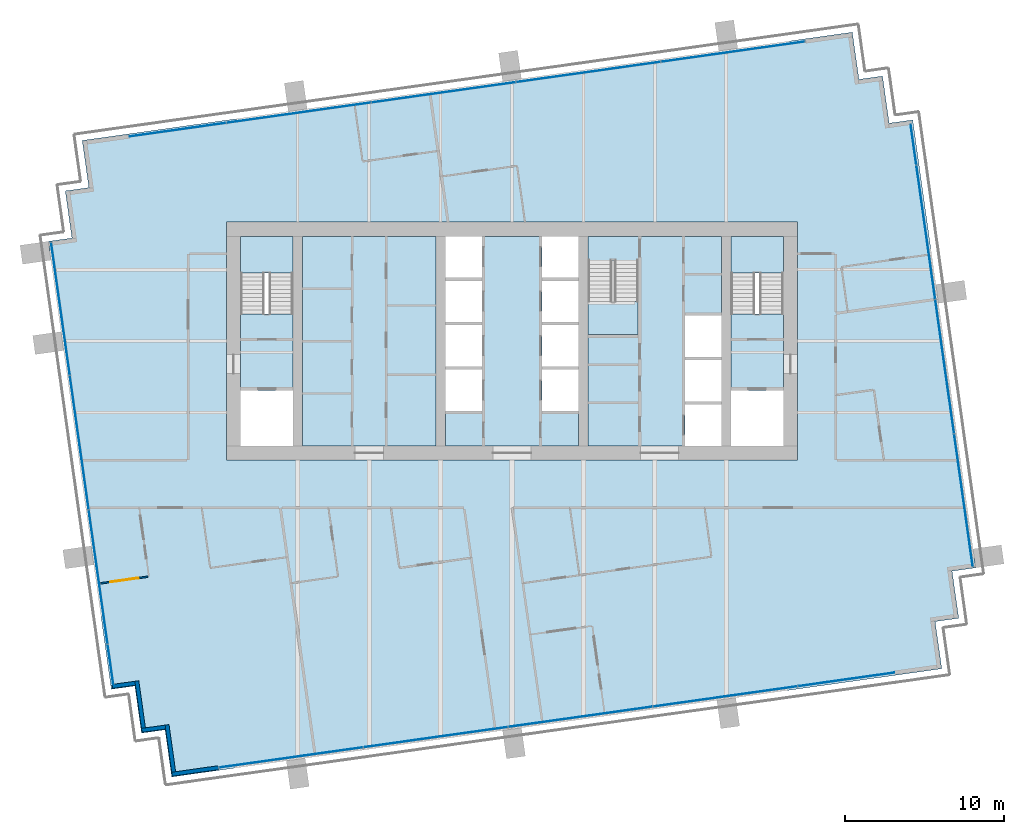
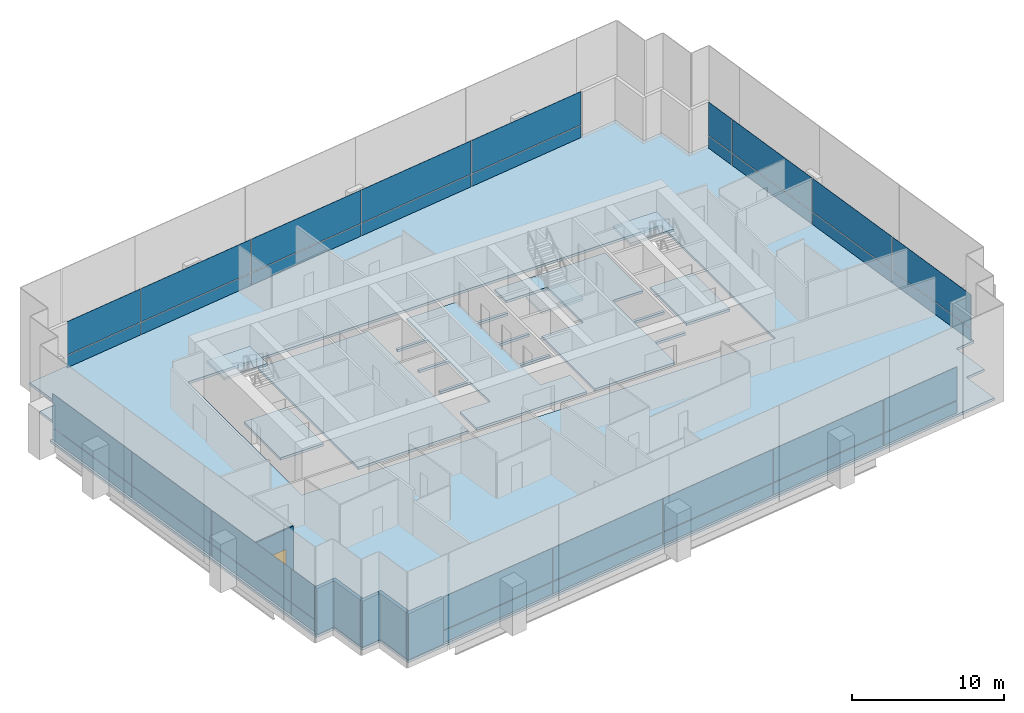
# One storey, part 8 of 17: 36 plates, 9 slabs, 6 walls, 1 window, 1 opening, 7 elements without a shape of their own.
"""IFC4 building model written with IfcOpenShell, lengths in metres."""

import ifcopenshell
import ifcopenshell.guid

model = None  # the IFC model being written
_history = None  # IfcOwnerHistory: only IFC2X3 demands one
_inside = {}  # id of a spatial element -> (the spatial element, [elements in it])
_under = {}  # id of a project, library or spatial element -> (it, [spatial elements below it])
_declared = {}  # id of a project -> (the project, [libraries it declares])
_typed = {}  # id of a type object -> (the type object, [elements of that type])
_made_of = {}  # id of a material, layer set ... -> (it, [elements and type objects made of it])


def new_model(schema):
    """Start an empty IFC model of exactly this schema.

    Asked for "IFC4X3", IfcOpenShell would pick the latest addendum, in which some entities
    have other attributes; the version numbers below select the first issue.
    IFC2X3 requires an IfcOwnerHistory on every rooted entity: one is made here for all.
    """
    global model, _history
    if schema == "IFC4X3":
        model = ifcopenshell.file(schema_version=(4, 3, 0, 0))
    else:
        model = ifcopenshell.file(schema=schema)
    _inside.clear()
    _under.clear()
    _declared.clear()
    _typed.clear()
    _made_of.clear()
    _history = None
    if model.schema == "IFC2X3":
        org = make("IfcOrganization", Name="unknown")
        user = make(
            "IfcPersonAndOrganization",
            ThePerson=make("IfcPerson", FamilyName="unknown"),
            TheOrganization=org,
        )
        app = make(
            "IfcApplication",
            ApplicationDeveloper=org,
            Version="unknown",
            ApplicationFullName="unknown",
            ApplicationIdentifier="unknown",
        )
        _history = make(
            "IfcOwnerHistory",
            OwningUser=user,
            OwningApplication=app,
            ChangeAction="ADDED",
            CreationDate=0,
        )
    return model


def make(cls, **values):
    """One entity of the class cls with the attributes given. An attribute that is None is left unset."""
    return model.create_entity(
        cls, **{name: value for name, value in values.items() if value is not None}
    )


def rooted(cls, **values):
    """An entity with a GlobalId (a new one), such as an element, a storey or a relation."""
    return make(cls, GlobalId=ifcopenshell.guid.new(), OwnerHistory=_history, **values)


def si_unit(unit_type, name, prefix=None):
    """IfcSIUnit, for example si_unit("LENGTHUNIT", "METRE", prefix="MILLI")."""
    return make("IfcSIUnit", UnitType=unit_type, Prefix=prefix, Name=name)


def assignment(units):
    """IfcUnitAssignment: the units of a project."""
    return None if units is None else make("IfcUnitAssignment", Units=units)


def point(xyz):
    """IfcCartesianPoint."""
    return None if xyz is None else make("IfcCartesianPoint", Coordinates=xyz)


def direction(xyz):
    """IfcDirection."""
    return None if xyz is None else make("IfcDirection", DirectionRatios=xyz)


def frame(location, z_axis=None, x_axis=None):
    """IfcAxis2Placement3D, a coordinate frame: its origin and axes. An axis left out is left unset."""
    return make(
        "IfcAxis2Placement3D",
        Location=point(location),
        Axis=direction(z_axis),
        RefDirection=direction(x_axis),
    )


def frame_2d(location, x_axis=None):
    """IfcAxis2Placement2D, a coordinate frame in the plane: its origin and x axis."""
    return make(
        "IfcAxis2Placement2D", Location=point(location), RefDirection=direction(x_axis)
    )


def origin():
    """The frame at (0, 0, 0) with its axes left unset."""
    return frame((0.0, 0.0, 0.0))


def origin_2d():
    """The frame at (0, 0) in the plane with its x axis left unset."""
    return frame_2d((0.0, 0.0))


def place(relative_to, where):
    """IfcLocalPlacement: puts the frame where relative to a parent placement (None: the world)."""
    return make(
        "IfcLocalPlacement", PlacementRelTo=relative_to, RelativePlacement=where
    )


def context(
    kind, dimensions, precision=None, world=None, true_north=None, identifier=None
):
    """IfcGeometricRepresentationContext, for example the 3D "Model" context."""
    return make(
        "IfcGeometricRepresentationContext",
        ContextIdentifier=identifier,
        ContextType=kind,
        CoordinateSpaceDimension=dimensions,
        Precision=precision,
        WorldCoordinateSystem=world,
        TrueNorth=true_north,
    )


def subcontext(parent, identifier, kind, view, scale=None):
    """IfcGeometricRepresentationSubContext, for example "Body" below "Model"."""
    return make(
        "IfcGeometricRepresentationSubContext",
        ContextIdentifier=identifier,
        ContextType=kind,
        ParentContext=parent,
        TargetScale=scale,
        TargetView=view,
    )


def project(units=None, contexts=None):
    """IfcProject with its units and contexts."""
    return rooted(
        "IfcProject",
        Name="project",
        RepresentationContexts=contexts,
        UnitsInContext=assignment(units),
    )


def spatial(cls, under=None, at=None, **own):
    """A site, building, storey or space (cls), placed at a placement, below another one or the project."""
    s = rooted(cls, ObjectPlacement=at, **own)
    if under is not None:
        _under.setdefault(under.id(), (under, []))[1].append(s)
    return s


def polyline(points):
    """IfcPolyline through the points."""
    return make("IfcPolyline", Points=[point(p) for p in points])


def profile(cls, at=None, kind="AREA", **sizes):
    """A parametric profile (cls). Its sizes go by their IFC names, for example OverallWidth=200.0."""
    return make(cls, ProfileType=kind, Position=at, **sizes)


def rectangle(**sizes):
    """IfcRectangleProfileDef."""
    return profile("IfcRectangleProfileDef", **sizes)


def outline(outer, holes=None, kind="AREA"):
    """IfcArbitraryClosedProfileDef: a profile drawn as a closed curve; with holes, ...WithVoids."""
    if holes is None:
        return make("IfcArbitraryClosedProfileDef", ProfileType=kind, OuterCurve=outer)
    return make(
        "IfcArbitraryProfileDefWithVoids",
        ProfileType=kind,
        OuterCurve=outer,
        InnerCurves=holes,
    )


def extrude(swept, where, along, depth):
    """IfcExtrudedAreaSolid: the profile swept, set in the frame where, extruded along a direction by depth."""
    return make(
        "IfcExtrudedAreaSolid",
        SweptArea=swept,
        Position=where,
        ExtrudedDirection=direction(along),
        Depth=depth,
    )


def shape(context_of_items, identifier, shape_type, items):
    """IfcShapeRepresentation: the items that make up one representation, for example the "Body"."""
    return make(
        "IfcShapeRepresentation",
        ContextOfItems=context_of_items,
        RepresentationIdentifier=identifier,
        RepresentationType=shape_type,
        Items=items,
    )


def material(Name=None, Category=None):
    """IfcMaterial."""
    return make("IfcMaterial", Name=Name, Category=Category)


def layer(
    of_material, thickness, ventilated=None, Name=None, Category=None, Priority=None
):
    """IfcMaterialLayer: one layer of a wall or slab, of a material (None: an air gap)."""
    return make(
        "IfcMaterialLayer",
        Material=of_material,
        LayerThickness=thickness,
        IsVentilated=ventilated,
        Name=Name,
        Category=Category,
        Priority=Priority,
    )


def layer_set(layers, Name=None):
    """IfcMaterialLayerSet."""
    return make("IfcMaterialLayerSet", MaterialLayers=layers, LayerSetName=Name)


def made_of(thing, what):
    """Note that an element or type object is made of a material, layer set ...; save() writes the relation."""
    if what is not None:
        _made_of.setdefault(what.id(), (what, []))[1].append(thing)
    return thing


def type_object(cls, material=None, **own):
    """A type object (cls), such as IfcWallType, which elements share."""
    return made_of(rooted(cls, **own), material)


def element(
    cls,
    number,
    at=None,
    inside=None,
    cuts=None,
    type_object=None,
    material=None,
    context=None,
    identifier="Body",
    shape_type=None,
    held_by="IfcProductDefinitionShape",
    body=None,
    shapes=None,
    **own,
):
    """One element of the class cls, such as IfcWall. Its Tag is "e" and its number.

    at: its placement. inside: the storey or other place that contains it. cuts: it is an
    opening in that element (IfcRelVoidsElement). A single representation is given by context,
    identifier, shape_type and body (its items); several are given by shapes. held_by: the class
    of the entity that holds the representations. save() writes the other relations.
    """
    e = rooted(cls, Tag="e%d" % number, ObjectPlacement=at, **own)
    if body is not None:
        shapes = [shape(context, identifier, shape_type, body)]
    if shapes is not None:
        e.Representation = make(held_by, Representations=shapes)
    if inside is not None:
        _inside.setdefault(inside.id(), (inside, []))[1].append(e)
    if cuts is not None:
        rooted(
            "IfcRelVoidsElement", RelatingBuildingElement=cuts, RelatedOpeningElement=e
        )
    if type_object is not None:
        _typed.setdefault(type_object.id(), (type_object, []))[1].append(e)
    return made_of(e, material)


def fill(opening, filler):
    """IfcRelFillsElement: the door or window that sits in an opening."""
    return rooted(
        "IfcRelFillsElement",
        RelatingOpeningElement=opening,
        RelatedBuildingElement=filler,
    )


def aggregate(whole, parts):
    """IfcRelAggregates: a whole, such as a stair, and the parts it consists of."""
    return rooted("IfcRelAggregates", RelatingObject=whole, RelatedObjects=parts)


def save(model, path):
    """Write the relations noted so far, then the file.

    IfcRelAggregates (storeys below a building ...), IfcRelContainedInSpatialStructure (elements
    in a storey), IfcRelDefinesByType, IfcRelAssociatesMaterial and IfcRelDeclares: one each for
    every whole, place, type object, material and project.
    """
    for whole, parts in _under.values():
        aggregate(whole, parts)
    for where, things in _inside.values():
        rooted(
            "IfcRelContainedInSpatialStructure",
            RelatedElements=things,
            RelatingStructure=where,
        )
    for kind, things in _typed.values():
        rooted("IfcRelDefinesByType", RelatedObjects=things, RelatingType=kind)
    for what, things in _made_of.values():
        rooted("IfcRelAssociatesMaterial", RelatedObjects=things, RelatingMaterial=what)
    for by, libraries in _declared.values():
        rooted("IfcRelDeclares", RelatingContext=by, RelatedDefinitions=libraries)
    model.write(path)


model = new_model("IFC4")

# Units and contexts
model_context = context("Model", 3, precision=1e-05, world=origin(), true_north=direction((0.0, 1.0)))
body_context = subcontext(model_context, "Body", "Model", "MODEL_VIEW")
ifc_project = project(units=[si_unit("LENGTHUNIT", "METRE"), si_unit("AREAUNIT", "SQUARE_METRE"), si_unit("VOLUMEUNIT", "CUBIC_METRE"), si_unit("PLANEANGLEUNIT", "RADIAN"), si_unit("MASSUNIT", "GRAM", prefix="KILO")], contexts=[model_context])

# Site, building, storey
site_placement = place(None, origin())
site = spatial("IfcSite", under=ifc_project, at=site_placement, CompositionType="ELEMENT")
building_placement = place(site_placement, origin())
building = spatial("IfcBuilding", under=site, at=building_placement, Name="Rattan Terrace Tower", CompositionType="ELEMENT")
storey_placement = place(building_placement, frame((0.0, 0.0, 168.5)))
storey = spatial("IfcBuildingStorey", under=building, at=storey_placement, Name="L38", CompositionType="ELEMENT", Elevation=168.5)

# Stair, slab
ifc_material_1 = material(Name="Concrete C40/50", Category="concrete")
stair_type = type_object("IfcStairType", Name="Core exit stair 1500", PredefinedType="HALF_TURN_STAIR", material=ifc_material_1)
stair_1_placement = place(storey_placement, origin())
stair_1 = element("IfcStair", 1, at=stair_1_placement, inside=storey, type_object=stair_type, Name="L38 exit stair 1", PredefinedType="HALF_TURN_STAIR")
ifc_material_2 = material(Name="Concrete C40/50", Category="concrete")
ifc_layer_1 = layer(ifc_material_2, 0.199951171875)
ifc_layer_set_1 = layer_set([ifc_layer_1], Name="Core exit stair landing")
slab_type_1 = type_object("IfcSlabType", Name="Core exit stair landing", PredefinedType="LANDING", material=ifc_layer_set_1)
slab_1_placement = place(storey_placement, frame((0.0, 0.0, 1.75)))
slab_1 = element("IfcSlab", 2, at=slab_1_placement, type_object=slab_type_1, Name="S1 landing 1", PredefinedType="LANDING", context=body_context, shape_type="SweptSolid", body=[
    extrude(outline(polyline([(-13.800048828125, 4.300048828125), (-13.800048828125, 6.60009765625), (-17.10009765625, 6.60009765625), (-17.10009765625, 4.300048828125), (-13.800048828125, 4.300048828125)])), origin(), (0.0, 0.0, 1.0), 0.199951171875),
])
aggregate(stair_1, [slab_1])

stair_2_placement = place(storey_placement, origin())
stair_2 = element("IfcStair", 3, at=stair_2_placement, inside=storey, type_object=stair_type, Name="L38 exit stair 2", PredefinedType="HALF_TURN_STAIR")
slab_2_placement = place(storey_placement, frame((0.0, 0.0, 1.75)))
slab_2 = element("IfcSlab", 4, at=slab_2_placement, type_object=slab_type_1, Name="S2 landing 1", PredefinedType="LANDING", context=body_context, shape_type="SweptSolid", body=[
    extrude(outline(polyline([(17.10009765625, 4.300048828125), (17.10009765625, 6.60009765625), (13.800048828125, 6.60009765625), (13.800048828125, 4.300048828125), (17.10009765625, 4.300048828125)])), origin(), (0.0, 0.0, 1.0), 0.199951171875),
])
aggregate(stair_2, [slab_2])

stair_3_placement = place(storey_placement, origin())
stair_3 = element("IfcStair", 5, at=stair_3_placement, inside=storey, type_object=stair_type, Name="L38 exit stair 3", PredefinedType="HALF_TURN_STAIR")
slab_3_placement = place(storey_placement, frame((0.0, 0.0, 1.75)))
slab_3 = element("IfcSlab", 6, at=slab_3_placement, type_object=slab_type_1, Name="S3 landing 1", PredefinedType="LANDING", context=body_context, shape_type="SweptSolid", body=[
    extrude(outline(polyline([(4.800048828125, 2.5), (4.800048828125, 0.39990234375), (7.949951171875, 0.39990234375), (7.949951171875, 2.5), (4.800048828125, 2.5)])), origin(), (0.0, 0.0, 1.0), 0.199951171875),
])
aggregate(stair_3, [slab_3])

# Curtain wall, plates
ifc_material_3 = material(Name="Aluminium and glass", Category="aluminium")
curtain_wall_type = type_object("IfcCurtainWallType", Name="Facade Unitised Curtain Wall", PredefinedType="NOTDEFINED", material=ifc_material_3)
curtain_wall_1_placement = place(storey_placement, origin())
curtain_wall_1 = element("IfcCurtainWall", 7, at=curtain_wall_1_placement, inside=storey, type_object=curtain_wall_type, Name="Curtain wall L38-1", PredefinedType="NOTDEFINED")
ifc_material_4 = material(Name="Aluminium insulated spandrel panel", Category="aluminium")
ifc_layer_2 = layer(ifc_material_4, 0.028076171875)
ifc_layer_set_2 = layer_set([ifc_layer_2], Name="Facade CW Spandrel Panel")
plate_type_1 = type_object("IfcPlateType", Name="Facade CW Spandrel Panel", PredefinedType="CURTAIN_PANEL", material=ifc_layer_set_2)
plate_1_placement = place(storey_placement, frame((28.447509765625, -10.037109375, 0.0), z_axis=(0.0, 0.0, 1.0), x_axis=(-0.139190856006, 0.99026557327, 0.0)))
plate_1 = element("IfcPlate", 8, at=plate_1_placement, type_object=plate_type_1, Name="Panel cwl-L38-001.1.1", PredefinedType="CURTAIN_PANEL", context=body_context, shape_type="SweptSolid", body=[
    extrude(rectangle(XDim=8.4150390625, YDim=0.028076171875, at=origin_2d()), origin(), (0.0, 0.0, 1.0), 0.969970703125),
])
plate_2_placement = place(storey_placement, frame((27.262451171875, -1.607421875, 0.0), z_axis=(0.0, 0.0, 1.0), x_axis=(-0.139190856006, 0.99026557327, 0.0)))
plate_2 = element("IfcPlate", 9, at=plate_2_placement, type_object=plate_type_1, Name="Panel cwl-L38-001.2.1", PredefinedType="CURTAIN_PANEL", context=body_context, shape_type="SweptSolid", body=[
    extrude(rectangle(XDim=8.489990234375, YDim=0.028076171875, at=origin_2d()), origin(), (0.0, 0.0, 1.0), 0.969970703125),
])
plate_3_placement = place(storey_placement, frame((26.072509765625, 6.859375, 0.0), z_axis=(0.0, 0.0, 1.0), x_axis=(-0.139190856006, 0.99026557327, 0.0)))
plate_3 = element("IfcPlate", 10, at=plate_3_placement, type_object=plate_type_1, Name="Panel cwl-L38-001.3.1", PredefinedType="CURTAIN_PANEL", context=body_context, shape_type="SweptSolid", body=[
    extrude(rectangle(XDim=8.489990234375, YDim=0.028076171875, at=origin_2d()), origin(), (0.0, 0.0, 1.0), 0.969970703125),
])
plate_4_placement = place(storey_placement, frame((25.29736328125, 12.372802734375, 0.0), z_axis=(0.0, 0.0, 1.0), x_axis=(-0.139190856006, 0.99026557327, 0.0)))
plate_4 = element("IfcPlate", 11, at=plate_4_placement, type_object=plate_type_1, Name="Panel cwl-L38-001.4.1", PredefinedType="CURTAIN_PANEL", context=body_context, shape_type="SweptSolid", body=[
    extrude(rectangle(XDim=2.525390625, YDim=0.028076171875, at=origin_2d()), origin(), (0.0, 0.0, 1.0), 0.969970703125),
])

curtain_wall_2_placement = place(storey_placement, origin())
curtain_wall_2 = element("IfcCurtainWall", 12, at=curtain_wall_2_placement, inside=storey, type_object=curtain_wall_type, Name="Curtain wall L38-2", PredefinedType="NOTDEFINED")
plate_5_placement = place(storey_placement, frame((13.920166015625, 18.233642578125, 0.0), z_axis=(0.0, 0.0, 1.0), x_axis=(-0.990269702686, -0.139161474347, 0.0)))
plate_5 = element("IfcPlate", 13, at=plate_5_placement, type_object=plate_type_1, Name="Panel cwl-L38-002.1.1", PredefinedType="CURTAIN_PANEL", context=body_context, shape_type="SweptSolid", body=[
    extrude(rectangle(XDim=9.123046875, YDim=0.028076171875, at=origin_2d()), origin(), (0.0, 0.0, 1.0), 0.969970703125),
])
plate_6_placement = place(storey_placement, frame((4.8115234375, 16.95361328125, 0.0), z_axis=(0.0, 0.0, 1.0), x_axis=(-0.990269702686, -0.139161474347, 0.0)))
plate_6 = element("IfcPlate", 14, at=plate_6_placement, type_object=plate_type_1, Name="Panel cwl-L38-002.2.1", PredefinedType="CURTAIN_PANEL", context=body_context, shape_type="SweptSolid", body=[
    extrude(rectangle(XDim=9.153076171875, YDim=0.028076171875, at=origin_2d()), origin(), (0.0, 0.0, 1.0), 0.969970703125),
])
plate_7_placement = place(storey_placement, frame((-4.311767578125, 15.67138671875, 0.0), z_axis=(0.0, 0.0, 1.0), x_axis=(-0.990269702686, -0.139161474347, 0.0)))
plate_7 = element("IfcPlate", 15, at=plate_7_placement, type_object=plate_type_1, Name="Panel cwl-L38-002.3.1", PredefinedType="CURTAIN_PANEL", context=body_context, shape_type="SweptSolid", body=[
    extrude(rectangle(XDim=9.153076171875, YDim=0.028076171875, at=origin_2d()), origin(), (0.0, 0.0, 1.0), 0.969970703125),
])
plate_8_placement = place(storey_placement, frame((-13.43505859375, 14.389404296875, 0.0), z_axis=(0.0, 0.0, 1.0), x_axis=(-0.990269702686, -0.139161474347, 0.0)))
plate_8 = element("IfcPlate", 16, at=plate_8_placement, type_object=plate_type_1, Name="Panel cwl-L38-002.4.1", PredefinedType="CURTAIN_PANEL", context=body_context, shape_type="SweptSolid", body=[
    extrude(rectangle(XDim=9.153076171875, YDim=0.028076171875, at=origin_2d()), origin(), (0.0, 0.0, 1.0), 0.969970703125),
])
plate_9_placement = place(storey_placement, frame((-21.055908203125, 13.318359375, 0.0), z_axis=(0.0, 0.0, 1.0), x_axis=(-0.990269702686, -0.139161474347, 0.0)))
plate_9 = element("IfcPlate", 17, at=plate_9_placement, type_object=plate_type_1, Name="Panel cwl-L38-002.5.1", PredefinedType="CURTAIN_PANEL", context=body_context, shape_type="SweptSolid", body=[
    extrude(rectangle(XDim=6.118408203125, YDim=0.028076171875, at=origin_2d()), origin(), (0.0, 0.0, 1.0), 0.969970703125),
])

curtain_wall_3_placement = place(storey_placement, origin())
curtain_wall_3 = element("IfcCurtainWall", 18, at=curtain_wall_3_placement, inside=storey, type_object=curtain_wall_type, Name="Curtain wall L38-3", PredefinedType="NOTDEFINED")
plate_10_placement = place(storey_placement, frame((-28.447509765625, 2.037109375, 0.0), z_axis=(0.0, 0.0, 1.0), x_axis=(0.139190856006, -0.99026557327, 0.0)))
plate_10 = element("IfcPlate", 19, at=plate_10_placement, type_object=plate_type_1, Name="Panel cwl-L38-003.1.1", PredefinedType="CURTAIN_PANEL", context=body_context, shape_type="SweptSolid", body=[
    extrude(rectangle(XDim=8.4150390625, YDim=0.028076171875, at=origin_2d()), origin(), (0.0, 0.0, 1.0), 0.969970703125),
])
plate_11_placement = place(storey_placement, frame((-27.262451171875, -6.392578125, 0.0), z_axis=(0.0, 0.0, 1.0), x_axis=(0.139190856006, -0.99026557327, 0.0)))
plate_11 = element("IfcPlate", 20, at=plate_11_placement, type_object=plate_type_1, Name="Panel cwl-L38-003.2.1", PredefinedType="CURTAIN_PANEL", context=body_context, shape_type="SweptSolid", body=[
    extrude(rectangle(XDim=8.489990234375, YDim=0.028076171875, at=origin_2d()), origin(), (0.0, 0.0, 1.0), 0.969970703125),
])
plate_12_placement = place(storey_placement, frame((-26.072509765625, -14.859375, 0.0), z_axis=(0.0, 0.0, 1.0), x_axis=(0.139190856006, -0.99026557327, 0.0)))
plate_12 = element("IfcPlate", 21, at=plate_12_placement, type_object=plate_type_1, Name="Panel cwl-L38-003.3.1", PredefinedType="CURTAIN_PANEL", context=body_context, shape_type="SweptSolid", body=[
    extrude(rectangle(XDim=8.489990234375, YDim=0.028076171875, at=origin_2d()), origin(), (0.0, 0.0, 1.0), 0.969970703125),
])
plate_13_placement = place(storey_placement, frame((-25.29736328125, -20.372802734375, 0.0), z_axis=(0.0, 0.0, 1.0), x_axis=(0.139190856006, -0.99026557327, 0.0)))
plate_13 = element("IfcPlate", 22, at=plate_13_placement, type_object=plate_type_1, Name="Panel cwl-L38-003.4.1", PredefinedType="CURTAIN_PANEL", context=body_context, shape_type="SweptSolid", body=[
    extrude(rectangle(XDim=2.525390625, YDim=0.028076171875, at=origin_2d()), origin(), (0.0, 0.0, 1.0), 0.969970703125),
])

curtain_wall_4_placement = place(storey_placement, origin())
curtain_wall_4 = element("IfcCurtainWall", 23, at=curtain_wall_4_placement, inside=storey, type_object=curtain_wall_type, Name="Curtain wall L38-4", PredefinedType="NOTDEFINED")
plate_14_placement = place(storey_placement, frame((-13.920166015625, -26.233642578125, 0.0), z_axis=(0.0, 0.0, 1.0), x_axis=(0.990269702686, 0.139161474347, 0.0)))
plate_14 = element("IfcPlate", 24, at=plate_14_placement, type_object=plate_type_1, Name="Panel cwl-L38-004.1.1", PredefinedType="CURTAIN_PANEL", context=body_context, shape_type="SweptSolid", body=[
    extrude(rectangle(XDim=9.123046875, YDim=0.028076171875, at=origin_2d()), origin(), (0.0, 0.0, 1.0), 0.969970703125),
])
plate_15_placement = place(storey_placement, frame((-4.8115234375, -24.95361328125, 0.0), z_axis=(0.0, 0.0, 1.0), x_axis=(0.990269702686, 0.139161474347, 0.0)))
plate_15 = element("IfcPlate", 25, at=plate_15_placement, type_object=plate_type_1, Name="Panel cwl-L38-004.2.1", PredefinedType="CURTAIN_PANEL", context=body_context, shape_type="SweptSolid", body=[
    extrude(rectangle(XDim=9.153076171875, YDim=0.028076171875, at=origin_2d()), origin(), (0.0, 0.0, 1.0), 0.969970703125),
])
plate_16_placement = place(storey_placement, frame((4.311767578125, -23.67138671875, 0.0), z_axis=(0.0, 0.0, 1.0), x_axis=(0.990269702686, 0.139161474347, 0.0)))
plate_16 = element("IfcPlate", 26, at=plate_16_placement, type_object=plate_type_1, Name="Panel cwl-L38-004.3.1", PredefinedType="CURTAIN_PANEL", context=body_context, shape_type="SweptSolid", body=[
    extrude(rectangle(XDim=9.153076171875, YDim=0.028076171875, at=origin_2d()), origin(), (0.0, 0.0, 1.0), 0.969970703125),
])
plate_17_placement = place(storey_placement, frame((13.43505859375, -22.389404296875, 0.0), z_axis=(0.0, 0.0, 1.0), x_axis=(0.990269702686, 0.139161474347, 0.0)))
plate_17 = element("IfcPlate", 27, at=plate_17_placement, type_object=plate_type_1, Name="Panel cwl-L38-004.4.1", PredefinedType="CURTAIN_PANEL", context=body_context, shape_type="SweptSolid", body=[
    extrude(rectangle(XDim=9.153076171875, YDim=0.028076171875, at=origin_2d()), origin(), (0.0, 0.0, 1.0), 0.969970703125),
])
plate_18_placement = place(storey_placement, frame((21.055908203125, -21.318359375, 0.0), z_axis=(0.0, 0.0, 1.0), x_axis=(0.990269702686, 0.139161474347, 0.0)))
plate_18 = element("IfcPlate", 28, at=plate_18_placement, type_object=plate_type_1, Name="Panel cwl-L38-004.5.1", PredefinedType="CURTAIN_PANEL", context=body_context, shape_type="SweptSolid", body=[
    extrude(rectangle(XDim=6.118408203125, YDim=0.028076171875, at=origin_2d()), origin(), (0.0, 0.0, 1.0), 0.969970703125),
])

# Plate
ifc_material_5 = material(Name="Clear low-iron glass", Category="glass")
ifc_layer_3 = layer(ifc_material_5, 0.028076171875)
ifc_layer_set_3 = layer_set([ifc_layer_3], Name="Facade CW Vision Panel")
plate_type_2 = type_object("IfcPlateType", Name="Facade CW Vision Panel", PredefinedType="CURTAIN_PANEL", material=ifc_layer_set_3)
plate_19_placement = place(storey_placement, frame((28.447509765625, -10.037109375, 1.030029296875), z_axis=(0.0, 0.0, 1.0), x_axis=(-0.139190856006, 0.99026557327, 0.0)))
plate_19 = element("IfcPlate", 29, at=plate_19_placement, type_object=plate_type_2, Name="Panel cwl-L38-001.1.2", PredefinedType="CURTAIN_PANEL", context=body_context, shape_type="SweptSolid", body=[
    extrude(rectangle(XDim=8.4150390625, YDim=0.028076171875, at=origin_2d()), origin(), (0.0, 0.0, 1.0), 2.669921875),
])

plate_20_placement = place(storey_placement, frame((27.262451171875, -1.607421875, 1.030029296875), z_axis=(0.0, 0.0, 1.0), x_axis=(-0.139190856006, 0.99026557327, 0.0)))
plate_20 = element("IfcPlate", 30, at=plate_20_placement, type_object=plate_type_2, Name="Panel cwl-L38-001.2.2", PredefinedType="CURTAIN_PANEL", context=body_context, shape_type="SweptSolid", body=[
    extrude(rectangle(XDim=8.489990234375, YDim=0.028076171875, at=origin_2d()), origin(), (0.0, 0.0, 1.0), 2.669921875),
])

plate_21_placement = place(storey_placement, frame((26.072509765625, 6.859375, 1.030029296875), z_axis=(0.0, 0.0, 1.0), x_axis=(-0.139190856006, 0.99026557327, 0.0)))
plate_21 = element("IfcPlate", 31, at=plate_21_placement, type_object=plate_type_2, Name="Panel cwl-L38-001.3.2", PredefinedType="CURTAIN_PANEL", context=body_context, shape_type="SweptSolid", body=[
    extrude(rectangle(XDim=8.489990234375, YDim=0.028076171875, at=origin_2d()), origin(), (0.0, 0.0, 1.0), 2.669921875),
])

plate_22_placement = place(storey_placement, frame((25.29736328125, 12.372802734375, 1.030029296875), z_axis=(0.0, 0.0, 1.0), x_axis=(-0.139190856006, 0.99026557327, 0.0)))
plate_22 = element("IfcPlate", 32, at=plate_22_placement, type_object=plate_type_2, Name="Panel cwl-L38-001.4.2", PredefinedType="CURTAIN_PANEL", context=body_context, shape_type="SweptSolid", body=[
    extrude(rectangle(XDim=2.525390625, YDim=0.028076171875, at=origin_2d()), origin(), (0.0, 0.0, 1.0), 2.669921875),
])

aggregate(curtain_wall_1, [plate_1, plate_19, plate_2, plate_20, plate_3, plate_21, plate_4, plate_22])

plate_23_placement = place(storey_placement, frame((13.920166015625, 18.233642578125, 1.030029296875), z_axis=(0.0, 0.0, 1.0), x_axis=(-0.990269702686, -0.139161474347, 0.0)))
plate_23 = element("IfcPlate", 33, at=plate_23_placement, type_object=plate_type_2, Name="Panel cwl-L38-002.1.2", PredefinedType="CURTAIN_PANEL", context=body_context, shape_type="SweptSolid", body=[
    extrude(rectangle(XDim=9.123046875, YDim=0.028076171875, at=origin_2d()), origin(), (0.0, 0.0, 1.0), 2.669921875),
])

plate_24_placement = place(storey_placement, frame((4.8115234375, 16.95361328125, 1.030029296875), z_axis=(0.0, 0.0, 1.0), x_axis=(-0.990269702686, -0.139161474347, 0.0)))
plate_24 = element("IfcPlate", 34, at=plate_24_placement, type_object=plate_type_2, Name="Panel cwl-L38-002.2.2", PredefinedType="CURTAIN_PANEL", context=body_context, shape_type="SweptSolid", body=[
    extrude(rectangle(XDim=9.153076171875, YDim=0.028076171875, at=origin_2d()), origin(), (0.0, 0.0, 1.0), 2.669921875),
])

plate_25_placement = place(storey_placement, frame((-4.311767578125, 15.67138671875, 1.030029296875), z_axis=(0.0, 0.0, 1.0), x_axis=(-0.990269702686, -0.139161474347, 0.0)))
plate_25 = element("IfcPlate", 35, at=plate_25_placement, type_object=plate_type_2, Name="Panel cwl-L38-002.3.2", PredefinedType="CURTAIN_PANEL", context=body_context, shape_type="SweptSolid", body=[
    extrude(rectangle(XDim=9.153076171875, YDim=0.028076171875, at=origin_2d()), origin(), (0.0, 0.0, 1.0), 2.669921875),
])

plate_26_placement = place(storey_placement, frame((-13.43505859375, 14.389404296875, 1.030029296875), z_axis=(0.0, 0.0, 1.0), x_axis=(-0.990269702686, -0.139161474347, 0.0)))
plate_26 = element("IfcPlate", 36, at=plate_26_placement, type_object=plate_type_2, Name="Panel cwl-L38-002.4.2", PredefinedType="CURTAIN_PANEL", context=body_context, shape_type="SweptSolid", body=[
    extrude(rectangle(XDim=9.153076171875, YDim=0.028076171875, at=origin_2d()), origin(), (0.0, 0.0, 1.0), 2.669921875),
])

plate_27_placement = place(storey_placement, frame((-21.055908203125, 13.318359375, 1.030029296875), z_axis=(0.0, 0.0, 1.0), x_axis=(-0.990269702686, -0.139161474347, 0.0)))
plate_27 = element("IfcPlate", 37, at=plate_27_placement, type_object=plate_type_2, Name="Panel cwl-L38-002.5.2", PredefinedType="CURTAIN_PANEL", context=body_context, shape_type="SweptSolid", body=[
    extrude(rectangle(XDim=6.118408203125, YDim=0.028076171875, at=origin_2d()), origin(), (0.0, 0.0, 1.0), 2.669921875),
])

aggregate(curtain_wall_2, [plate_5, plate_23, plate_6, plate_24, plate_7, plate_25, plate_8, plate_26, plate_9, plate_27])

plate_28_placement = place(storey_placement, frame((-28.447509765625, 2.037109375, 1.030029296875), z_axis=(0.0, 0.0, 1.0), x_axis=(0.139190856006, -0.99026557327, 0.0)))
plate_28 = element("IfcPlate", 38, at=plate_28_placement, type_object=plate_type_2, Name="Panel cwl-L38-003.1.2", PredefinedType="CURTAIN_PANEL", context=body_context, shape_type="SweptSolid", body=[
    extrude(rectangle(XDim=8.4150390625, YDim=0.028076171875, at=origin_2d()), origin(), (0.0, 0.0, 1.0), 2.669921875),
])

plate_29_placement = place(storey_placement, frame((-27.262451171875, -6.392578125, 1.030029296875), z_axis=(0.0, 0.0, 1.0), x_axis=(0.139190856006, -0.99026557327, 0.0)))
plate_29 = element("IfcPlate", 39, at=plate_29_placement, type_object=plate_type_2, Name="Panel cwl-L38-003.2.2", PredefinedType="CURTAIN_PANEL", context=body_context, shape_type="SweptSolid", body=[
    extrude(rectangle(XDim=8.489990234375, YDim=0.028076171875, at=origin_2d()), origin(), (0.0, 0.0, 1.0), 2.669921875),
])

plate_30_placement = place(storey_placement, frame((-26.072509765625, -14.859375, 1.030029296875), z_axis=(0.0, 0.0, 1.0), x_axis=(0.139190856006, -0.99026557327, 0.0)))
plate_30 = element("IfcPlate", 40, at=plate_30_placement, type_object=plate_type_2, Name="Panel cwl-L38-003.3.2", PredefinedType="CURTAIN_PANEL", context=body_context, shape_type="SweptSolid", body=[
    extrude(rectangle(XDim=8.489990234375, YDim=0.028076171875, at=origin_2d()), origin(), (0.0, 0.0, 1.0), 2.669921875),
])

plate_31_placement = place(storey_placement, frame((-25.29736328125, -20.372802734375, 1.030029296875), z_axis=(0.0, 0.0, 1.0), x_axis=(0.139190856006, -0.99026557327, 0.0)))
plate_31 = element("IfcPlate", 41, at=plate_31_placement, type_object=plate_type_2, Name="Panel cwl-L38-003.4.2", PredefinedType="CURTAIN_PANEL", context=body_context, shape_type="SweptSolid", body=[
    extrude(rectangle(XDim=2.525390625, YDim=0.028076171875, at=origin_2d()), origin(), (0.0, 0.0, 1.0), 2.669921875),
])

aggregate(curtain_wall_3, [plate_10, plate_28, plate_11, plate_29, plate_12, plate_30, plate_13, plate_31])

plate_32_placement = place(storey_placement, frame((-13.920166015625, -26.233642578125, 1.030029296875), z_axis=(0.0, 0.0, 1.0), x_axis=(0.990269702686, 0.139161474347, 0.0)))
plate_32 = element("IfcPlate", 42, at=plate_32_placement, type_object=plate_type_2, Name="Panel cwl-L38-004.1.2", PredefinedType="CURTAIN_PANEL", context=body_context, shape_type="SweptSolid", body=[
    extrude(rectangle(XDim=9.123046875, YDim=0.028076171875, at=origin_2d()), origin(), (0.0, 0.0, 1.0), 2.669921875),
])

plate_33_placement = place(storey_placement, frame((-4.8115234375, -24.95361328125, 1.030029296875), z_axis=(0.0, 0.0, 1.0), x_axis=(0.990269702686, 0.139161474347, 0.0)))
plate_33 = element("IfcPlate", 43, at=plate_33_placement, type_object=plate_type_2, Name="Panel cwl-L38-004.2.2", PredefinedType="CURTAIN_PANEL", context=body_context, shape_type="SweptSolid", body=[
    extrude(rectangle(XDim=9.153076171875, YDim=0.028076171875, at=origin_2d()), origin(), (0.0, 0.0, 1.0), 2.669921875),
])

plate_34_placement = place(storey_placement, frame((4.311767578125, -23.67138671875, 1.030029296875), z_axis=(0.0, 0.0, 1.0), x_axis=(0.990269702686, 0.139161474347, 0.0)))
plate_34 = element("IfcPlate", 44, at=plate_34_placement, type_object=plate_type_2, Name="Panel cwl-L38-004.3.2", PredefinedType="CURTAIN_PANEL", context=body_context, shape_type="SweptSolid", body=[
    extrude(rectangle(XDim=9.153076171875, YDim=0.028076171875, at=origin_2d()), origin(), (0.0, 0.0, 1.0), 2.669921875),
])

plate_35_placement = place(storey_placement, frame((13.43505859375, -22.389404296875, 1.030029296875), z_axis=(0.0, 0.0, 1.0), x_axis=(0.990269702686, 0.139161474347, 0.0)))
plate_35 = element("IfcPlate", 45, at=plate_35_placement, type_object=plate_type_2, Name="Panel cwl-L38-004.4.2", PredefinedType="CURTAIN_PANEL", context=body_context, shape_type="SweptSolid", body=[
    extrude(rectangle(XDim=9.153076171875, YDim=0.028076171875, at=origin_2d()), origin(), (0.0, 0.0, 1.0), 2.669921875),
])

plate_36_placement = place(storey_placement, frame((21.055908203125, -21.318359375, 1.030029296875), z_axis=(0.0, 0.0, 1.0), x_axis=(0.990269702686, 0.139161474347, 0.0)))
plate_36 = element("IfcPlate", 46, at=plate_36_placement, type_object=plate_type_2, Name="Panel cwl-L38-004.5.2", PredefinedType="CURTAIN_PANEL", context=body_context, shape_type="SweptSolid", body=[
    extrude(rectangle(XDim=6.118408203125, YDim=0.028076171875, at=origin_2d()), origin(), (0.0, 0.0, 1.0), 2.669921875),
])

aggregate(curtain_wall_4, [plate_14, plate_32, plate_15, plate_33, plate_16, plate_34, plate_17, plate_35, plate_18, plate_36])

# Slabs
ifc_material_6 = material(Name="Concrete C35/45", Category="concrete")
ifc_layer_4 = layer(ifc_material_6, 0.199951171875)
ifc_layer_set_4 = layer_set([ifc_layer_4], Name="Frame composite floor slab 200")
slab_type_2 = type_object("IfcSlabType", Name="Frame composite floor slab 200", PredefinedType="FLOOR", material=ifc_layer_set_4)
slab_4_placement = place(storey_placement, frame((0.0, 0.0, -0.199951171875)))
element("IfcSlab", 47, at=slab_4_placement, inside=storey, type_object=slab_type_2, Name="Floor slab", PredefinedType="FLOOR", context=body_context, shape_type="SweptSolid", body=[
    extrude(outline(polyline([(-18.472900390625, -27.044921875), (24.10888671875, -21.06103515625), (27.080078125, -20.64306640625), (26.662109375, -17.672119140625), (28.14794921875, -17.464111328125), (27.72998046875, -14.492919921875), (29.216064453125, -14.283935546875), (25.2490234375, 13.93896484375), (23.763916015625, 13.72998046875), (23.345947265625, 16.700927734375), (21.861083984375, 16.491943359375), (21.443115234375, 19.462890625), (18.472900390625, 19.044921875), (-24.10888671875, 13.06103515625), (-27.080078125, 12.64306640625), (-26.662109375, 9.672119140625), (-28.14794921875, 9.464111328125), (-27.72998046875, 6.492919921875), (-29.216064453125, 6.283935546875), (-25.2490234375, -21.93896484375), (-23.763916015625, -21.72998046875), (-23.345947265625, -24.700927734375), (-21.861083984375, -24.491943359375), (-21.443115234375, -27.462890625), (-18.472900390625, -27.044921875)]), holes=[polyline([(-18.0, -7.5), (18.0, -7.5), (18.0, -6.60009765625), (18.0, 6.60009765625), (18.0, 7.5), (-18.0, 7.5), (-18.0, 6.60009765625), (-18.0, -6.60009765625), (-18.0, -7.5)])]), origin(), (0.0, 0.0, 1.0), 0.199951171875),
])
slab_5_placement = place(storey_placement, frame((0.0, 0.0, -0.199951171875)))
element("IfcSlab", 48, at=slab_5_placement, inside=storey, type_object=slab_type_2, Name="Floor slab", PredefinedType="FLOOR", context=body_context, shape_type="SweptSolid", body=[
    extrude(outline(polyline([(13.199951171875, 6.60009765625), (4.800048828125, 6.60009765625), (4.800048828125, 5.090087890625), (7.949951171875, 5.090087890625), (7.949951171875, 0.39990234375), (4.800048828125, 0.39990234375), (4.800048828125, -6.60009765625), (10.89990234375, -6.60009765625), (10.89990234375, -4.0), (13.199951171875, -4.0), (13.199951171875, -3.800048828125), (10.89990234375, -3.800048828125), (10.89990234375, -1.199951171875), (13.199951171875, -1.199951171875), (13.199951171875, -1.0), (10.89990234375, -1.0), (10.89990234375, 1.60009765625), (13.199951171875, 1.60009765625), (13.199951171875, 6.60009765625)])), origin(), (0.0, 0.0, 1.0), 0.199951171875),
])
slab_6_placement = place(storey_placement, frame((0.0, 0.0, -0.199951171875)))
element("IfcSlab", 49, at=slab_6_placement, inside=storey, type_object=slab_type_2, Name="Floor slab", PredefinedType="FLOOR", context=body_context, shape_type="SweptSolid", body=[
    extrude(outline(polyline([(1.89990234375, 6.60009765625), (-1.89990234375, 6.60009765625), (-1.89990234375, 4.0), (-4.199951171875, 4.0), (-4.199951171875, 3.800048828125), (-1.89990234375, 3.800048828125), (-1.89990234375, 1.199951171875), (-4.199951171875, 1.199951171875), (-4.199951171875, 1.0), (-1.89990234375, 1.0), (-1.89990234375, -1.60009765625), (-4.199951171875, -1.60009765625), (-4.199951171875, -1.800048828125), (-1.89990234375, -1.800048828125), (-1.89990234375, -4.39990234375), (-4.199951171875, -4.39990234375), (-4.199951171875, -6.60009765625), (4.199951171875, -6.60009765625), (4.199951171875, -4.39990234375), (1.89990234375, -4.39990234375), (1.89990234375, -1.800048828125), (4.199951171875, -1.800048828125), (4.199951171875, -1.60009765625), (1.89990234375, -1.60009765625), (1.89990234375, 1.0), (4.199951171875, 1.0), (4.199951171875, 1.199951171875), (1.89990234375, 1.199951171875), (1.89990234375, 3.800048828125), (4.199951171875, 3.800048828125), (4.199951171875, 4.0), (1.89990234375, 4.0), (1.89990234375, 6.60009765625)])), origin(), (0.0, 0.0, 1.0), 0.199951171875),
])
slab_7_placement = place(storey_placement, frame((0.0, 0.0, -0.199951171875)))
element("IfcSlab", 50, at=slab_7_placement, inside=storey, type_object=slab_type_2, Name="Floor slab", PredefinedType="FLOOR", context=body_context, shape_type="SweptSolid", body=[
    extrude(outline(polyline([(-17.10009765625, -3.10009765625), (-13.800048828125, -3.10009765625), (-13.800048828125, 1.7099609375), (-17.10009765625, 1.7099609375), (-17.10009765625, -3.10009765625)])), origin(), (0.0, 0.0, 1.0), 0.199951171875),
])
slab_8_placement = place(storey_placement, frame((0.0, 0.0, -0.199951171875)))
element("IfcSlab", 51, at=slab_8_placement, inside=storey, type_object=slab_type_2, Name="Floor slab", PredefinedType="FLOOR", context=body_context, shape_type="SweptSolid", body=[
    extrude(outline(polyline([(-4.800048828125, -6.60009765625), (-4.800048828125, 6.60009765625), (-13.199951171875, 6.60009765625), (-13.199951171875, -6.60009765625), (-4.800048828125, -6.60009765625)])), origin(), (0.0, 0.0, 1.0), 0.199951171875),
])
slab_9_placement = place(storey_placement, frame((0.0, 0.0, -0.199951171875)))
element("IfcSlab", 52, at=slab_9_placement, inside=storey, type_object=slab_type_2, Name="Floor slab", PredefinedType="FLOOR", context=body_context, shape_type="SweptSolid", body=[
    extrude(outline(polyline([(13.800048828125, -3.10009765625), (17.10009765625, -3.10009765625), (17.10009765625, 1.7099609375), (13.800048828125, 1.7099609375), (13.800048828125, -3.10009765625)])), origin(), (0.0, 0.0, 1.0), 0.199951171875),
])

# Walls
ifc_material_7 = material(Name="Insulated aluminium-clad stud wall", Category="aluminium")
ifc_layer_5 = layer(ifc_material_7, 0.25)
ifc_layer_set_5 = layer_set([ifc_layer_5], Name="Facade Riser Wall 250")
wall_type_1 = type_object("IfcWallType", Name="Facade Riser Wall 250", PredefinedType="SOLIDWALL", material=ifc_layer_set_5)
wall_1_placement = place(storey_placement, frame((-25.18359375, -21.758056640625, 0.0), z_axis=(0.0, 0.0, 1.0), x_axis=(0.9902493448, 0.13930626376, 0.0)))
element("IfcWall", 53, at=wall_1_placement, inside=storey, type_object=wall_type_1, Name="Riser wall L38-16", PredefinedType="SOLIDWALL", context=body_context, shape_type="SweptSolid", body=[
    extrude(rectangle(XDim=1.45458984375, YDim=0.25, at=frame_2d((0.727294921875, 0.0))), origin(), (0.0, 0.0, 1.0), 3.699951171875),
])
wall_2_placement = place(storey_placement, frame((-23.63671875, -21.414306640625, 0.0), z_axis=(0.0, 0.0, 1.0), x_axis=(0.139313431826, -0.990248336385, 0.0)))
element("IfcWall", 54, at=wall_2_placement, inside=storey, type_object=wall_type_1, Name="Riser wall L38-17", PredefinedType="SOLIDWALL", context=body_context, shape_type="SweptSolid", body=[
    extrude(rectangle(XDim=3.000244140625, YDim=0.25, at=frame_2d((1.5, 0.0))), origin(), (0.0, 0.0, 1.0), 3.699951171875),
])
wall_3_placement = place(storey_placement, frame((-23.3251953125, -24.5263671875, 0.0), z_axis=(0.0, 0.0, 1.0), x_axis=(0.990243596651, 0.13934711799, 0.0)))
element("IfcWall", 55, at=wall_3_placement, inside=storey, type_object=wall_type_1, Name="Riser wall L38-18", PredefinedType="SOLIDWALL", context=body_context, shape_type="SweptSolid", body=[
    extrude(rectangle(XDim=1.499755859375, YDim=0.25, at=frame_2d((0.75, 0.0))), origin(), (0.0, 0.0, 1.0), 3.699951171875),
])
wall_4_placement = place(storey_placement, frame((-21.733642578125, -24.17626953125, 0.0), z_axis=(0.0, 0.0, 1.0), x_axis=(0.139313431826, -0.990248336385, 0.0)))
element("IfcWall", 56, at=wall_4_placement, inside=storey, type_object=wall_type_1, Name="Riser wall L38-19", PredefinedType="SOLIDWALL", context=body_context, shape_type="SweptSolid", body=[
    extrude(rectangle(XDim=3.000244140625, YDim=0.25, at=frame_2d((1.5, 0.0))), origin(), (0.0, 0.0, 1.0), 3.699951171875),
])
wall_5_placement = place(storey_placement, frame((-21.422119140625, -27.288330078125, 0.0), z_axis=(0.0, 0.0, 1.0), x_axis=(0.990246427036, 0.139327002919, 0.0)))
element("IfcWall", 57, at=wall_5_placement, inside=storey, type_object=wall_type_1, Name="Riser wall L38-20", PredefinedType="SOLIDWALL", context=body_context, shape_type="SweptSolid", body=[
    extrude(rectangle(XDim=2.954345703125, YDim=0.25, at=frame_2d((1.47705078125, 0.0))), origin(), (0.0, 0.0, 1.0), 3.699951171875),
])

# Wall, opening, window
ifc_material_8 = material(Name="Gypsum board partition on steel studs", Category="steel")
ifc_layer_6 = layer(ifc_material_8, 0.10009765625)
ifc_layer_set_6 = layer_set([ifc_layer_6], Name="Floors Partition 100")
wall_type_2 = type_object("IfcWallType", Name="Floors Partition 100", PredefinedType="PARTITIONING", material=ifc_layer_set_6)
wall_6_placement = place(storey_placement, frame((-25.925048828125, -15.263916015625, 0.0), z_axis=(0.0, 0.0, 1.0), x_axis=(0.990300981683, 0.138938711948, 0.0)))
wall_6 = element("IfcWall", 58, at=wall_6_placement, inside=storey, type_object=wall_type_2, Name="pt-L38-024", PredefinedType="PARTITIONING", context=body_context, shape_type="SweptSolid", body=[
    extrude(rectangle(XDim=3.029296875, YDim=0.10009765625, at=frame_2d((1.5146484375, 0.0))), origin(), (0.0, 0.0, 1.0), 3.699951171875),
])
opening_placement = place(wall_6_placement, frame((0.614990234375, 0.0, 0.89990234375)))
opening = element("IfcOpeningElement", 59, at=opening_placement, cuts=wall_6, Name="Opening L38-W100", PredefinedType="OPENING", context=body_context, shape_type="SweptSolid", body=[
    extrude(rectangle(XDim=1.800048828125, YDim=1.199951171875, at=frame_2d((0.89990234375, 0.60009765625))), frame((0.0, 0.060546875, 0.0), z_axis=(0.0, -1.0, 0.0), x_axis=(1.0, 0.0, 0.0)), (0.0, 0.0, 1.0), 0.12109375),
])
ifc_material_9 = material(Name="Glass, clear, fixed in aluminium frame", Category="aluminium")
window_type = type_object("IfcWindowType", Name="Interior Vision Window 1800x1200", PartitioningType="SINGLE_PANEL", PredefinedType="WINDOW", material=ifc_material_9)
window_placement = place(opening_placement, origin())
window = element("IfcWindow", 60, at=window_placement, inside=storey, type_object=window_type, Name="w-L38-100", OverallHeight=1.199951171875, OverallWidth=1.800048828125, PartitioningType="SINGLE_PANEL", PredefinedType="WINDOW", context=body_context, shape_type="SweptSolid", body=[
    extrude(rectangle(XDim=1.800048828125, YDim=1.199951171875, at=frame_2d((0.89990234375, 0.60009765625))), frame((0.0, 0.030029296875, 0.0), z_axis=(0.0, -1.0, 0.0), x_axis=(1.0, 0.0, 0.0)), (0.0, 0.0, 1.0), 0.06005859375),
])
fill(opening, window)

save(model, "model.ifc")
